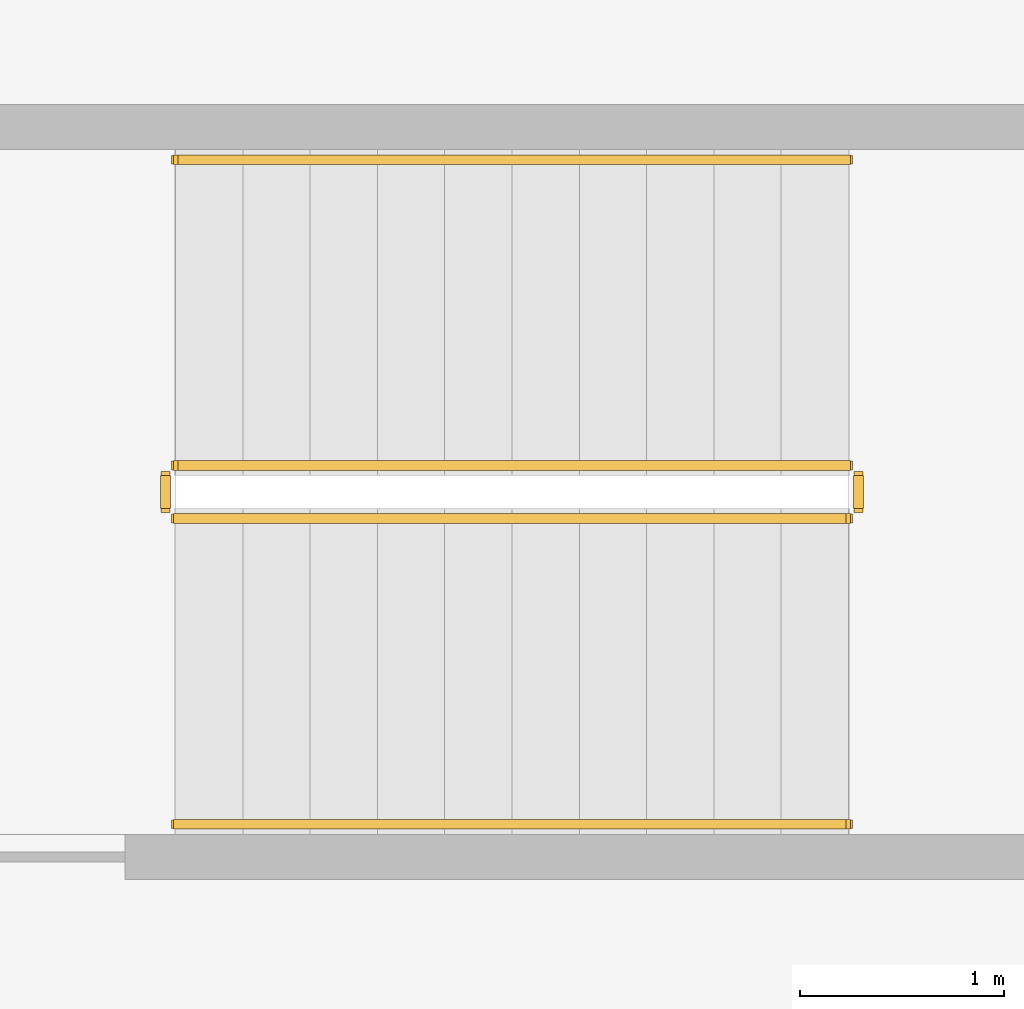
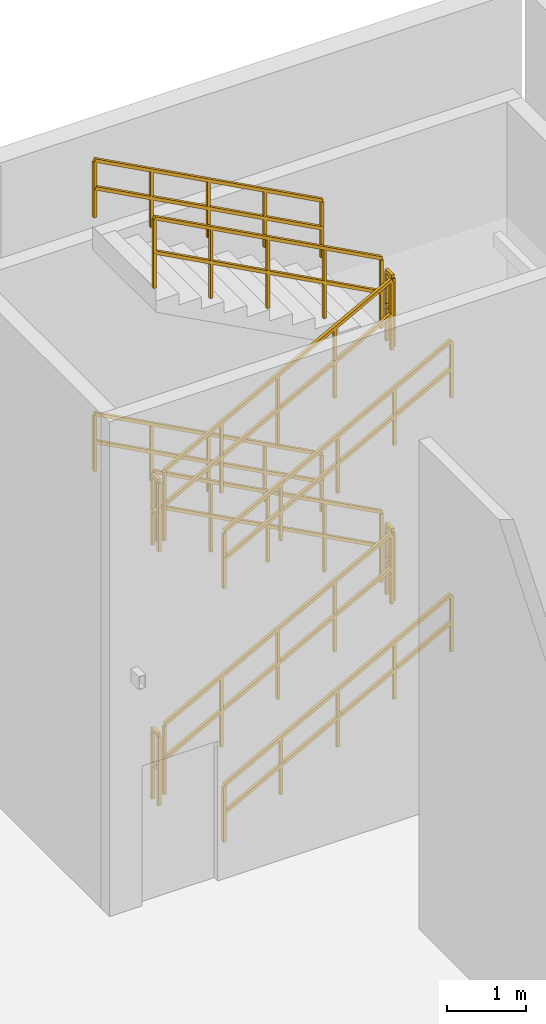
# One storey, part 28 of 29: 12 railings.
"""IFC4 building model written with IfcOpenShell, lengths in metres."""

from ifc_helpers import new_model, si_unit, direction, frame, origin, origin_2d, place, context, subcontext, project, spatial, rectangle, extrude, material, type_object, element, save


model = new_model("IFC4")

# Units and contexts
model_context = context("Model", 3, precision=1e-05, world=origin(), true_north=direction((0.0, 1.0)))
body_context = subcontext(model_context, "Body", "Model", "MODEL_VIEW")
ifc_project = project(units=[si_unit("LENGTHUNIT", "METRE"), si_unit("AREAUNIT", "SQUARE_METRE"), si_unit("VOLUMEUNIT", "CUBIC_METRE"), si_unit("PLANEANGLEUNIT", "RADIAN"), si_unit("MASSUNIT", "GRAM", prefix="KILO")], contexts=[model_context])

# Site, building, storey
site_placement = place(None, origin())
site = spatial("IfcSite", under=ifc_project, at=site_placement, CompositionType="ELEMENT")
building_placement = place(site_placement, origin())
building = spatial("IfcBuilding", under=site, at=building_placement, Name="Ocotamira Hotel", CompositionType="ELEMENT")
storey_placement = place(building_placement, frame((0.0, 0.0, 11.39990234375)))
storey = spatial("IfcBuildingStorey", under=building, at=storey_placement, Name="L03", CompositionType="ELEMENT", Elevation=11.39990234375)

# Railings
ifc_material_1 = material(Name="Brushed stainless steel handrail", Category="steel")
railing_type_1 = type_object("IfcRailingType", Name="RL-HAND-900", PredefinedType="HANDRAIL", material=ifc_material_1)
railing_1_placement = place(storey_placement, frame((56.179931640625, 46.25, 0.354736328125)))
element("IfcRailing", 1, at=railing_1_placement, inside=storey, type_object=railing_type_1, Name="L03 ST-6 stair handrail 1", PredefinedType="HANDRAIL", context=body_context, shape_type="SweptSolid", body=[
    extrude(rectangle(XDim=0.048095703125, YDim=0.048095703125, at=origin_2d()), frame((0.0, 0.0, 0.8759765625), z_axis=(0.880943614595, 0.0, 0.473221246251), x_axis=(0.0, 1.0, 0.0)), (0.0, 0.0, 1.0), 3.74609375),
    extrude(rectangle(XDim=0.048095703125, YDim=0.048095703125, at=origin_2d()), frame((0.0, 0.0, 0.449951171875), z_axis=(0.880943614595, 0.0, 0.473221246251), x_axis=(0.0, 1.0, 0.0)), (0.0, 0.0, 1.0), 3.74609375),
    extrude(rectangle(XDim=0.0419921875, YDim=0.0419921875, at=origin_2d()), origin(), (0.0, 0.0, 1.0), 0.851806640625),
    extrude(rectangle(XDim=0.0419921875, YDim=0.0419921875, at=origin_2d()), frame((0.824951171875, 0.0, 0.443115234375)), (0.0, 0.0, 1.0), 0.851806640625),
    extrude(rectangle(XDim=0.0419921875, YDim=0.0419921875, at=origin_2d()), frame((1.64990234375, 0.0, 0.88623046875)), (0.0, 0.0, 1.0), 0.851806640625),
    extrude(rectangle(XDim=0.0419921875, YDim=0.0419921875, at=origin_2d()), frame((2.47509765625, 0.0, 1.32958984375)), (0.0, 0.0, 1.0), 0.851806640625),
    extrude(rectangle(XDim=0.0419921875, YDim=0.0419921875, at=origin_2d()), frame((3.300048828125, 0.0, 1.772705078125)), (0.0, 0.0, 1.0), 0.851806640625),
])
railing_2_placement = place(storey_placement, frame((59.47998046875, 49.510009765625, 2.3046875)))
element("IfcRailing", 2, at=railing_2_placement, inside=storey, type_object=railing_type_1, Name="L03 ST-6 stair handrail 2", PredefinedType="HANDRAIL", context=body_context, shape_type="SweptSolid", body=[
    extrude(rectangle(XDim=0.048095703125, YDim=0.048095703125, at=origin_2d()), frame((0.0, 0.0, 0.8759765625), z_axis=(-0.880943614595, 0.0, 0.473221246251), x_axis=(0.0, -1.0, 0.0)), (0.0, 0.0, 1.0), 3.74609375),
    extrude(rectangle(XDim=0.048095703125, YDim=0.048095703125, at=origin_2d()), frame((0.0, 0.0, 0.449951171875), z_axis=(-0.880943614595, 0.0, 0.473221246251), x_axis=(0.0, -1.0, 0.0)), (0.0, 0.0, 1.0), 3.74609375),
    extrude(rectangle(XDim=0.0419921875, YDim=0.0419921875, at=origin_2d()), origin(), (0.0, 0.0, 1.0), 0.851806640625),
    extrude(rectangle(XDim=0.0419921875, YDim=0.0419921875, at=origin_2d()), frame((-0.824951171875, 0.0, 0.443115234375)), (0.0, 0.0, 1.0), 0.851806640625),
    extrude(rectangle(XDim=0.0419921875, YDim=0.0419921875, at=origin_2d()), frame((-1.64990234375, 0.0, 0.88623046875)), (0.0, 0.0, 1.0), 0.851806640625),
    extrude(rectangle(XDim=0.0419921875, YDim=0.0419921875, at=origin_2d()), frame((-2.47509765625, 0.0, 1.32958984375)), (0.0, 0.0, 1.0), 0.851806640625),
    extrude(rectangle(XDim=0.0419921875, YDim=0.0419921875, at=origin_2d()), frame((-3.300048828125, 0.0, 1.772705078125)), (0.0, 0.0, 1.0), 0.851806640625),
])
railing_3_placement = place(storey_placement, frame((56.179931640625, 46.25, 4.254638671875)))
element("IfcRailing", 3, at=railing_3_placement, inside=storey, type_object=railing_type_1, Name="L03 ST-6 stair handrail 3", PredefinedType="HANDRAIL", context=body_context, shape_type="SweptSolid", body=[
    extrude(rectangle(XDim=0.048095703125, YDim=0.048095703125, at=origin_2d()), frame((0.0, 0.0, 0.8759765625), z_axis=(0.880943614595, 0.0, 0.473221246251), x_axis=(0.0, 1.0, 0.0)), (0.0, 0.0, 1.0), 3.74609375),
    extrude(rectangle(XDim=0.048095703125, YDim=0.048095703125, at=origin_2d()), frame((0.0, 0.0, 0.449951171875), z_axis=(0.880943614595, 0.0, 0.473221246251), x_axis=(0.0, 1.0, 0.0)), (0.0, 0.0, 1.0), 3.74609375),
    extrude(rectangle(XDim=0.0419921875, YDim=0.0419921875, at=origin_2d()), origin(), (0.0, 0.0, 1.0), 0.851806640625),
    extrude(rectangle(XDim=0.0419921875, YDim=0.0419921875, at=origin_2d()), frame((0.824951171875, 0.0, 0.443115234375)), (0.0, 0.0, 1.0), 0.851806640625),
    extrude(rectangle(XDim=0.0419921875, YDim=0.0419921875, at=origin_2d()), frame((1.64990234375, 0.0, 0.88623046875)), (0.0, 0.0, 1.0), 0.851806640625),
    extrude(rectangle(XDim=0.0419921875, YDim=0.0419921875, at=origin_2d()), frame((2.47509765625, 0.0, 1.32958984375)), (0.0, 0.0, 1.0), 0.851806640625),
    extrude(rectangle(XDim=0.0419921875, YDim=0.0419921875, at=origin_2d()), frame((3.300048828125, 0.0, 1.772705078125)), (0.0, 0.0, 1.0), 0.851806640625),
])
railing_4_placement = place(storey_placement, frame((59.47998046875, 49.510009765625, 6.20458984375)))
element("IfcRailing", 4, at=railing_4_placement, inside=storey, type_object=railing_type_1, Name="L03 ST-6 stair handrail 4", PredefinedType="HANDRAIL", context=body_context, shape_type="SweptSolid", body=[
    extrude(rectangle(XDim=0.048095703125, YDim=0.048095703125, at=origin_2d()), frame((0.0, 0.0, 0.8759765625), z_axis=(-0.880943614595, 0.0, 0.473221246251), x_axis=(0.0, -1.0, 0.0)), (0.0, 0.0, 1.0), 3.74609375),
    extrude(rectangle(XDim=0.048095703125, YDim=0.048095703125, at=origin_2d()), frame((0.0, 0.0, 0.449951171875), z_axis=(-0.880943614595, 0.0, 0.473221246251), x_axis=(0.0, -1.0, 0.0)), (0.0, 0.0, 1.0), 3.74609375),
    extrude(rectangle(XDim=0.0419921875, YDim=0.0419921875, at=origin_2d()), origin(), (0.0, 0.0, 1.0), 0.851806640625),
    extrude(rectangle(XDim=0.0419921875, YDim=0.0419921875, at=origin_2d()), frame((-0.824951171875, 0.0, 0.443115234375)), (0.0, 0.0, 1.0), 0.851806640625),
    extrude(rectangle(XDim=0.0419921875, YDim=0.0419921875, at=origin_2d()), frame((-1.64990234375, 0.0, 0.88623046875)), (0.0, 0.0, 1.0), 0.851806640625),
    extrude(rectangle(XDim=0.0419921875, YDim=0.0419921875, at=origin_2d()), frame((-2.47509765625, 0.0, 1.32958984375)), (0.0, 0.0, 1.0), 0.851806640625),
    extrude(rectangle(XDim=0.0419921875, YDim=0.0419921875, at=origin_2d()), frame((-3.300048828125, 0.0, 1.772705078125)), (0.0, 0.0, 1.0), 0.851806640625),
])
ifc_material_2 = material(Name="Painted steel stair guardrail", Category="steel")
railing_type_2 = type_object("IfcRailingType", Name="RL-STAIR-1100", PredefinedType="GUARDRAIL", material=ifc_material_2)
railing_5_placement = place(storey_placement, frame((56.179931640625, 47.75, 0.177490234375)))
element("IfcRailing", 5, at=railing_5_placement, inside=storey, type_object=railing_type_2, Name="L03 ST-6 stair guard 1", PredefinedType="GUARDRAIL", context=body_context, shape_type="SweptSolid", body=[
    extrude(rectangle(XDim=0.048095703125, YDim=0.048095703125, at=origin_2d()), frame((0.0, 0.0, 1.076171875), z_axis=(0.880943614595, 0.0, 0.473221246251), x_axis=(0.0, 1.0, 0.0)), (0.0, 0.0, 1.0), 3.74609375),
    extrude(rectangle(XDim=0.048095703125, YDim=0.048095703125, at=origin_2d()), frame((0.0, 0.0, 0.550048828125), z_axis=(0.880943614595, 0.0, 0.473221246251), x_axis=(0.0, 1.0, 0.0)), (0.0, 0.0, 1.0), 3.74609375),
    extrude(rectangle(XDim=0.0419921875, YDim=0.0419921875, at=origin_2d()), origin(), (0.0, 0.0, 1.0), 1.052001953125),
    extrude(rectangle(XDim=0.0419921875, YDim=0.0419921875, at=origin_2d()), frame((0.824951171875, 0.0, 0.443115234375)), (0.0, 0.0, 1.0), 1.052001953125),
    extrude(rectangle(XDim=0.0419921875, YDim=0.0419921875, at=origin_2d()), frame((1.64990234375, 0.0, 0.88623046875)), (0.0, 0.0, 1.0), 1.052001953125),
    extrude(rectangle(XDim=0.0419921875, YDim=0.0419921875, at=origin_2d()), frame((2.47509765625, 0.0, 1.32958984375)), (0.0, 0.0, 1.0), 1.052001953125),
    extrude(rectangle(XDim=0.0419921875, YDim=0.0419921875, at=origin_2d()), frame((3.300048828125, 0.0, 1.772705078125)), (0.0, 0.0, 1.0), 1.052001953125),
])
railing_6_placement = place(storey_placement, frame((59.530029296875, 47.800048828125, 1.9501953125)))
element("IfcRailing", 6, at=railing_6_placement, inside=storey, type_object=railing_type_2, Name="L03 ST-6 stair guard 2", PredefinedType="GUARDRAIL", context=body_context, shape_type="SweptSolid", body=[
    extrude(rectangle(XDim=0.048095703125, YDim=0.048095703125, at=origin_2d()), frame((0.0, 0.0, 1.076171875), z_axis=(0.0, 1.0, 0.0), x_axis=(-1.0, 0.0, 0.0)), (0.0, 0.0, 1.0), 0.159912109375),
    extrude(rectangle(XDim=0.048095703125, YDim=0.048095703125, at=origin_2d()), frame((0.0, 0.0, 0.550048828125), z_axis=(0.0, 1.0, 0.0), x_axis=(-1.0, 0.0, 0.0)), (0.0, 0.0, 1.0), 0.159912109375),
    extrude(rectangle(XDim=0.0419921875, YDim=0.0419921875, at=origin_2d()), origin(), (0.0, 0.0, 1.0), 1.052001953125),
    extrude(rectangle(XDim=0.0419921875, YDim=0.0419921875, at=origin_2d()), frame((0.0, 0.159912109375, 0.0)), (0.0, 0.0, 1.0), 1.052001953125),
])
railing_7_placement = place(storey_placement, frame((59.47998046875, 48.010009765625, 2.12744140625)))
element("IfcRailing", 7, at=railing_7_placement, inside=storey, type_object=railing_type_2, Name="L03 ST-6 stair guard 3", PredefinedType="GUARDRAIL", context=body_context, shape_type="SweptSolid", body=[
    extrude(rectangle(XDim=0.048095703125, YDim=0.048095703125, at=origin_2d()), frame((0.0, 0.0, 1.076171875), z_axis=(-0.880943614595, 0.0, 0.473221246251), x_axis=(0.0, -1.0, 0.0)), (0.0, 0.0, 1.0), 3.74609375),
    extrude(rectangle(XDim=0.048095703125, YDim=0.048095703125, at=origin_2d()), frame((0.0, 0.0, 0.550048828125), z_axis=(-0.880943614595, 0.0, 0.473221246251), x_axis=(0.0, -1.0, 0.0)), (0.0, 0.0, 1.0), 3.74609375),
    extrude(rectangle(XDim=0.0419921875, YDim=0.0419921875, at=origin_2d()), origin(), (0.0, 0.0, 1.0), 1.052001953125),
    extrude(rectangle(XDim=0.0419921875, YDim=0.0419921875, at=origin_2d()), frame((-0.824951171875, 0.0, 0.443115234375)), (0.0, 0.0, 1.0), 1.052001953125),
    extrude(rectangle(XDim=0.0419921875, YDim=0.0419921875, at=origin_2d()), frame((-1.64990234375, 0.0, 0.88623046875)), (0.0, 0.0, 1.0), 1.052001953125),
    extrude(rectangle(XDim=0.0419921875, YDim=0.0419921875, at=origin_2d()), frame((-2.47509765625, 0.0, 1.32958984375)), (0.0, 0.0, 1.0), 1.052001953125),
    extrude(rectangle(XDim=0.0419921875, YDim=0.0419921875, at=origin_2d()), frame((-3.300048828125, 0.0, 1.772705078125)), (0.0, 0.0, 1.0), 1.052001953125),
])
railing_8_placement = place(storey_placement, frame((56.1298828125, 47.800048828125, 3.900146484375)))
element("IfcRailing", 8, at=railing_8_placement, inside=storey, type_object=railing_type_2, Name="L03 ST-6 stair guard 4", PredefinedType="GUARDRAIL", context=body_context, shape_type="SweptSolid", body=[
    extrude(rectangle(XDim=0.048095703125, YDim=0.048095703125, at=origin_2d()), frame((0.0, 0.0, 1.076171875), z_axis=(0.0, 1.0, 0.0), x_axis=(-1.0, 0.0, 0.0)), (0.0, 0.0, 1.0), 0.159912109375),
    extrude(rectangle(XDim=0.048095703125, YDim=0.048095703125, at=origin_2d()), frame((0.0, 0.0, 0.550048828125), z_axis=(0.0, 1.0, 0.0), x_axis=(-1.0, 0.0, 0.0)), (0.0, 0.0, 1.0), 0.159912109375),
    extrude(rectangle(XDim=0.0419921875, YDim=0.0419921875, at=origin_2d()), origin(), (0.0, 0.0, 1.0), 1.052001953125),
    extrude(rectangle(XDim=0.0419921875, YDim=0.0419921875, at=origin_2d()), frame((0.0, 0.159912109375, 0.0)), (0.0, 0.0, 1.0), 1.052001953125),
])
railing_9_placement = place(storey_placement, frame((56.179931640625, 47.75, 4.077392578125)))
element("IfcRailing", 9, at=railing_9_placement, inside=storey, type_object=railing_type_2, Name="L03 ST-6 stair guard 5", PredefinedType="GUARDRAIL", context=body_context, shape_type="SweptSolid", body=[
    extrude(rectangle(XDim=0.048095703125, YDim=0.048095703125, at=origin_2d()), frame((0.0, 0.0, 1.076171875), z_axis=(0.880943614595, 0.0, 0.473221246251), x_axis=(0.0, 1.0, 0.0)), (0.0, 0.0, 1.0), 3.74609375),
    extrude(rectangle(XDim=0.048095703125, YDim=0.048095703125, at=origin_2d()), frame((0.0, 0.0, 0.550048828125), z_axis=(0.880943614595, 0.0, 0.473221246251), x_axis=(0.0, 1.0, 0.0)), (0.0, 0.0, 1.0), 3.74609375),
    extrude(rectangle(XDim=0.0419921875, YDim=0.0419921875, at=origin_2d()), origin(), (0.0, 0.0, 1.0), 1.052001953125),
    extrude(rectangle(XDim=0.0419921875, YDim=0.0419921875, at=origin_2d()), frame((0.824951171875, 0.0, 0.443115234375)), (0.0, 0.0, 1.0), 1.052001953125),
    extrude(rectangle(XDim=0.0419921875, YDim=0.0419921875, at=origin_2d()), frame((1.64990234375, 0.0, 0.88623046875)), (0.0, 0.0, 1.0), 1.052001953125),
    extrude(rectangle(XDim=0.0419921875, YDim=0.0419921875, at=origin_2d()), frame((2.47509765625, 0.0, 1.32958984375)), (0.0, 0.0, 1.0), 1.052001953125),
    extrude(rectangle(XDim=0.0419921875, YDim=0.0419921875, at=origin_2d()), frame((3.300048828125, 0.0, 1.772705078125)), (0.0, 0.0, 1.0), 1.052001953125),
])
railing_10_placement = place(storey_placement, frame((59.530029296875, 47.800048828125, 5.85009765625)))
element("IfcRailing", 10, at=railing_10_placement, inside=storey, type_object=railing_type_2, Name="L03 ST-6 stair guard 6", PredefinedType="GUARDRAIL", context=body_context, shape_type="SweptSolid", body=[
    extrude(rectangle(XDim=0.048095703125, YDim=0.048095703125, at=origin_2d()), frame((0.0, 0.0, 1.076171875), z_axis=(0.0, 1.0, 0.0), x_axis=(-1.0, 0.0, 0.0)), (0.0, 0.0, 1.0), 0.159912109375),
    extrude(rectangle(XDim=0.048095703125, YDim=0.048095703125, at=origin_2d()), frame((0.0, 0.0, 0.550048828125), z_axis=(0.0, 1.0, 0.0), x_axis=(-1.0, 0.0, 0.0)), (0.0, 0.0, 1.0), 0.159912109375),
    extrude(rectangle(XDim=0.0419921875, YDim=0.0419921875, at=origin_2d()), origin(), (0.0, 0.0, 1.0), 1.052001953125),
    extrude(rectangle(XDim=0.0419921875, YDim=0.0419921875, at=origin_2d()), frame((0.0, 0.159912109375, 0.0)), (0.0, 0.0, 1.0), 1.052001953125),
])
railing_11_placement = place(storey_placement, frame((59.47998046875, 48.010009765625, 6.02734375)))
element("IfcRailing", 11, at=railing_11_placement, inside=storey, type_object=railing_type_2, Name="L03 ST-6 stair guard 7", PredefinedType="GUARDRAIL", context=body_context, shape_type="SweptSolid", body=[
    extrude(rectangle(XDim=0.048095703125, YDim=0.048095703125, at=origin_2d()), frame((0.0, 0.0, 1.076171875), z_axis=(-0.880943614595, 0.0, 0.473221246251), x_axis=(0.0, -1.0, 0.0)), (0.0, 0.0, 1.0), 3.74609375),
    extrude(rectangle(XDim=0.048095703125, YDim=0.048095703125, at=origin_2d()), frame((0.0, 0.0, 0.550048828125), z_axis=(-0.880943614595, 0.0, 0.473221246251), x_axis=(0.0, -1.0, 0.0)), (0.0, 0.0, 1.0), 3.74609375),
    extrude(rectangle(XDim=0.0419921875, YDim=0.0419921875, at=origin_2d()), origin(), (0.0, 0.0, 1.0), 1.052001953125),
    extrude(rectangle(XDim=0.0419921875, YDim=0.0419921875, at=origin_2d()), frame((-0.824951171875, 0.0, 0.443115234375)), (0.0, 0.0, 1.0), 1.052001953125),
    extrude(rectangle(XDim=0.0419921875, YDim=0.0419921875, at=origin_2d()), frame((-1.64990234375, 0.0, 0.88623046875)), (0.0, 0.0, 1.0), 1.052001953125),
    extrude(rectangle(XDim=0.0419921875, YDim=0.0419921875, at=origin_2d()), frame((-2.47509765625, 0.0, 1.32958984375)), (0.0, 0.0, 1.0), 1.052001953125),
    extrude(rectangle(XDim=0.0419921875, YDim=0.0419921875, at=origin_2d()), frame((-3.300048828125, 0.0, 1.772705078125)), (0.0, 0.0, 1.0), 1.052001953125),
])
railing_12_placement = place(storey_placement, frame((56.1298828125, 47.800048828125, 0.0)))
element("IfcRailing", 12, at=railing_12_placement, inside=storey, type_object=railing_type_2, Name="L03 ST-6 stair guard 8", PredefinedType="GUARDRAIL", context=body_context, shape_type="SweptSolid", body=[
    extrude(rectangle(XDim=0.048095703125, YDim=0.048095703125, at=origin_2d()), frame((0.0, 0.0, 1.076171875), z_axis=(0.0, 1.0, 0.0), x_axis=(-1.0, 0.0, 0.0)), (0.0, 0.0, 1.0), 0.159912109375),
    extrude(rectangle(XDim=0.048095703125, YDim=0.048095703125, at=origin_2d()), frame((0.0, 0.0, 0.550048828125), z_axis=(0.0, 1.0, 0.0), x_axis=(-1.0, 0.0, 0.0)), (0.0, 0.0, 1.0), 0.159912109375),
    extrude(rectangle(XDim=0.0419921875, YDim=0.0419921875, at=origin_2d()), origin(), (0.0, 0.0, 1.0), 1.052001953125),
    extrude(rectangle(XDim=0.0419921875, YDim=0.0419921875, at=origin_2d()), frame((0.0, 0.159912109375, 0.0)), (0.0, 0.0, 1.0), 1.052001953125),
])

save(model, "model.ifc")
